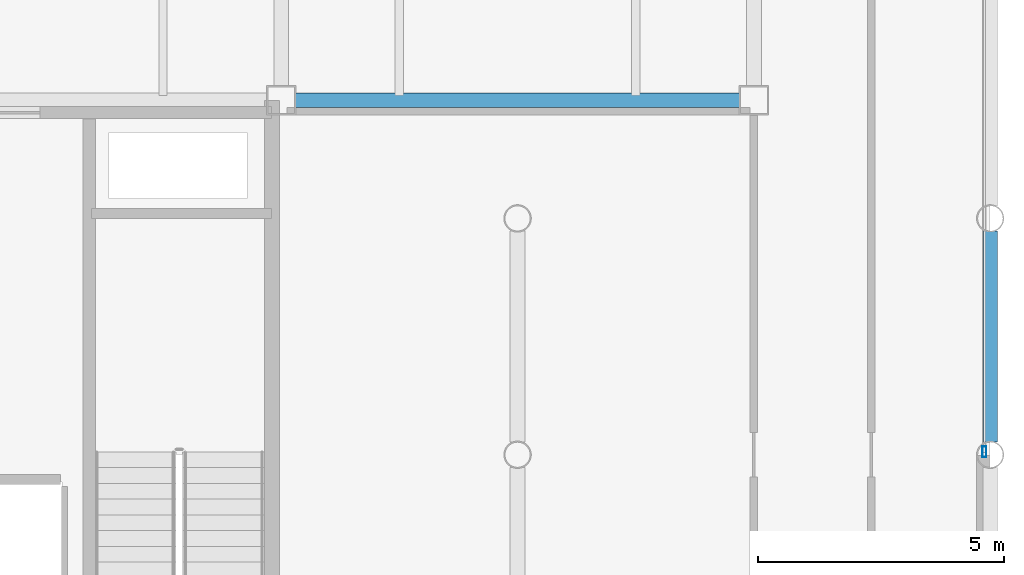
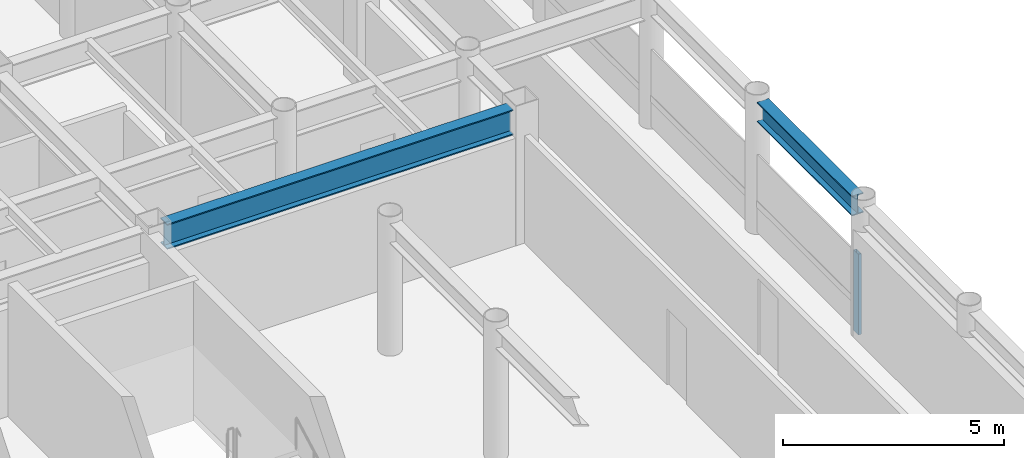
# One storey, part 10 of 22: 2 beams, 1 member, 1 element without a shape of its own.
"""IFC4 building model written with IfcOpenShell, lengths in metres."""

from ifc_helpers import new_model, si_unit, direction, frame, origin, origin_2d, place, context, subcontext, project, spatial, hollow_rectangle, i_section, extrude, material, layer, layer_set, material_profile, profile_set, type_object, element, aggregate, save


model = new_model("IFC4")

# Units and contexts
model_context = context("Model", 3, precision=1e-05, world=origin(), true_north=direction((0.0, 1.0)))
body_context = subcontext(model_context, "Body", "Model", "MODEL_VIEW")
ifc_project = project(units=[si_unit("LENGTHUNIT", "METRE"), si_unit("AREAUNIT", "SQUARE_METRE"), si_unit("VOLUMEUNIT", "CUBIC_METRE"), si_unit("PLANEANGLEUNIT", "RADIAN"), si_unit("MASSUNIT", "GRAM", prefix="KILO")], contexts=[model_context])

# Site, building, storey
site_placement = place(None, origin())
site = spatial("IfcSite", under=ifc_project, at=site_placement, CompositionType="ELEMENT")
building_placement = place(site_placement, origin())
building = spatial("IfcBuilding", under=site, at=building_placement, Name="Kallvorn Hotel Tower", CompositionType="ELEMENT")
storey_placement = place(building_placement, frame((0.0, 0.0, 264.64990234375)))
storey = spatial("IfcBuildingStorey", under=building, at=storey_placement, Name="L66", CompositionType="ELEMENT", Elevation=264.64990234375)

# Beams
ifc_material_1 = material(Name="Structural steel S355JR", Category="steel")
ifc_material_profile_1 = material_profile(ifc_material_1, i_section(OverallWidth=0.300048828125, OverallDepth=0.550048828125, WebThickness=0.014892578125, FlangeThickness=0.029052734375, at=origin_2d()), Name="HE 550 B")
ifc_profile_set_1 = profile_set([ifc_material_profile_1], Name="Structural steel S355JR")
beam_type_1 = type_object("IfcBeamType", Name="BM_HE550B", PredefinedType="SPANDREL", material=ifc_profile_set_1)
beam_1_placement = place(storey_placement, frame((28.800048828125, 0.25439453125, 3.39501953125), z_axis=(0.0, 1.0, 0.0), x_axis=(-1.0, 0.0, 0.0)))
element("IfcBeam", 1, at=beam_1_placement, inside=storey, type_object=beam_type_1, Name="L67 Primary Y-Girder 147", PredefinedType="SPANDREL", context=body_context, shape_type="SweptSolid", body=[
    extrude(i_section(OverallWidth=0.300048828125, OverallDepth=0.550048828125, WebThickness=0.014892578125, FlangeThickness=0.029052734375, at=origin_2d()), origin(), (0.0, 0.0, 1.0), 4.291015625),
])
ifc_material_2 = material(Name="Structural steel S355JR", Category="steel")
ifc_material_profile_2 = material_profile(ifc_material_2, i_section(OverallWidth=0.300048828125, OverallDepth=0.699951171875, WebThickness=0.01708984375, FlangeThickness=0.031982421875, at=origin_2d()), Name="HE 700 B")
ifc_profile_set_2 = profile_set([ifc_material_profile_2], Name="Structural steel S355JR")
beam_type_2 = type_object("IfcBeamType", Name="BM_HE700B", PredefinedType="BEAM", material=ifc_profile_set_2)
beam_2_placement = place(storey_placement, frame((14.675048828125, 7.199951171875, 3.320068359375), z_axis=(1.0, 0.0, 0.0), x_axis=(0.0, 1.0, 0.0)))
element("IfcBeam", 2, at=beam_2_placement, inside=storey, type_object=beam_type_2, Name="L67 Primary X-Girder 40", PredefinedType="BEAM", context=body_context, shape_type="SweptSolid", body=[
    extrude(i_section(OverallWidth=0.300048828125, OverallDepth=0.699951171875, WebThickness=0.01708984375, FlangeThickness=0.031982421875, at=origin_2d()), origin(), (0.0, 0.0, 1.0), 9.050048828125),
])

# Curtain wall, member
ifc_material_3 = material(Name="Thermally broken black-anodised aluminium AA 6063-T6", Category="aluminium")
ifc_layer = layer(ifc_material_3, 0.22998046875)
ifc_layer_set = layer_set([ifc_layer], Name="CW_SYS_5_HOTEL_HIGH")
curtain_wall_type = type_object("IfcCurtainWallType", Name="CW_SYS_5_HOTEL_HIGH", PredefinedType="USERDEFINED", material=ifc_layer_set)
curtain_wall_placement = place(storey_placement, origin())
curtain_wall = element("IfcCurtainWall", 3, at=curtain_wall_placement, inside=storey, type_object=curtain_wall_type, Name="L66 Dark-Glass Curtain Wall CW-L66-EN", ObjectType="UNITISED CURTAIN WALL", PredefinedType="USERDEFINED")
ifc_material_4 = material(Name="Thermally broken black-anodised aluminium AA 6063-T6", Category="aluminium")
ifc_material_profile_3 = material_profile(ifc_material_4, hollow_rectangle(XDim=0.080078125, YDim=0.219970703125, WallThickness=0.0048828125, at=origin_2d()), Name="MUL 220x80")
ifc_profile_set_3 = profile_set([ifc_material_profile_3], Name="Thermally broken black-anodised aluminium AA 6063-T6")
member_type = type_object("IfcMemberType", Name="CW_MULLION_220x80", PredefinedType="MULLION", material=ifc_profile_set_3)
member_placement = place(storey_placement, frame((28.679931640625, 0.06005859375, 0.02001953125), z_axis=(0.0, 0.0, 1.0), x_axis=(1.0, 0.0, 0.0)))
member = element("IfcMember", 4, at=member_placement, type_object=member_type, Name="CW-L66-EN Mullion 00", PredefinedType="MULLION", context=body_context, shape_type="SweptSolid", body=[
    extrude(hollow_rectangle(XDim=0.080078125, YDim=0.219970703125, WallThickness=0.0048828125, at=origin_2d()), origin(), (0.0, 0.0, 1.0), 2.22998046875),
])
aggregate(curtain_wall, [member])

save(model, "model.ifc")
